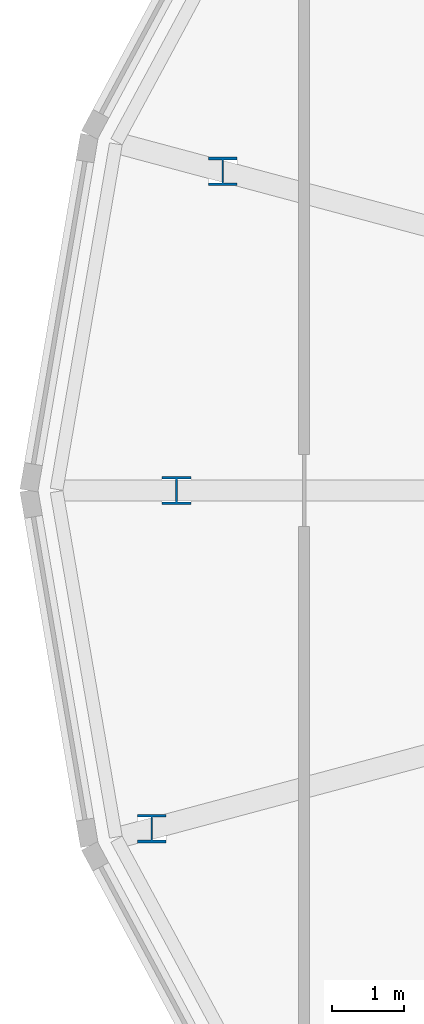
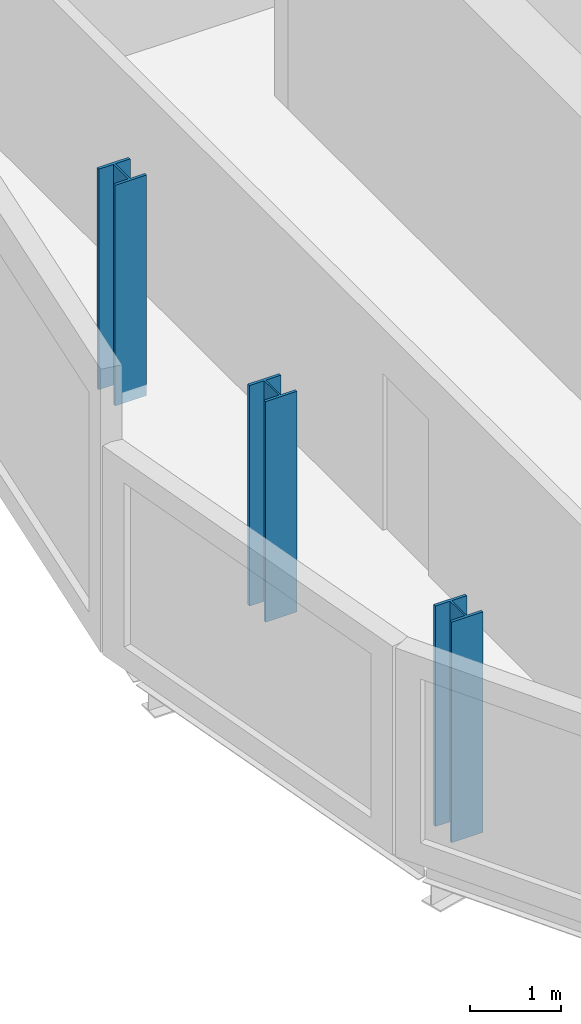
# One storey, part 1 of 37: 3 columns.
"""IFC4 building model written with IfcOpenShell, lengths in metres."""

from ifc_helpers import new_model, si_unit, direction, frame, origin, origin_2d, place, context, subcontext, project, spatial, i_section, extrude, material, material_profile, profile_set, type_object, element, save


model = new_model("IFC4")

# Units and contexts
model_context = context("Model", 3, precision=1e-05, world=origin(), true_north=direction((0.0, 1.0)))
body_context = subcontext(model_context, "Body", "Model", "MODEL_VIEW")
ifc_project = project(units=[si_unit("LENGTHUNIT", "METRE"), si_unit("AREAUNIT", "SQUARE_METRE"), si_unit("VOLUMEUNIT", "CUBIC_METRE"), si_unit("PLANEANGLEUNIT", "RADIAN"), si_unit("MASSUNIT", "GRAM", prefix="KILO")], contexts=[model_context])

# Site, building, storey
site_placement = place(None, origin())
site = spatial("IfcSite", under=ifc_project, at=site_placement, CompositionType="ELEMENT")
building_placement = place(site_placement, origin())
building = spatial("IfcBuilding", under=site, at=building_placement, Name="Rimbun Link Towers", CompositionType="ELEMENT")
storey_placement = place(building_placement, frame((0.0, 0.0, 166.5)))
storey = spatial("IfcBuildingStorey", under=building, at=storey_placement, Name="L40", CompositionType="ELEMENT", Elevation=166.5)

# Columns
ifc_material = material(Name="Steel S355J2", Category="steel")
ifc_material_profile = material_profile(ifc_material, i_section(OverallWidth=0.39892578125, OverallDepth=0.3935546875, WebThickness=0.022705078125, FlangeThickness=0.03662109375, at=origin_2d()), Name="UC 356x406x287")
ifc_profile_set = profile_set([ifc_material_profile], Name="Steel S355J2")
column_type = type_object("IfcColumnType", Name="UC 356x406x287", PredefinedType="COLUMN", material=ifc_profile_set)
for number, where, z_axis, x_axis, name in (
    (1, (-48.229736328125, 4.415771484375, -0.14990234375), (0.0, 0.0, 1.0), (1.0, 0.0, 0.0), "Crease post T1 L40 11"),
    (2, (-48.8701171875, 0.0, -0.14990234375), (0.0, 0.0, 1.0), (1.0, 0.0, 0.0), "Crease post T1 L40 12"),
    (3, (-49.212158203125, -4.678955078125, -0.14990234375), (0.0, 0.0, 1.0), (1.0, 0.0, 0.0), "Crease post T1 L40 13"),
):
    element("IfcColumn", number, at=place(storey_placement, frame(where, z_axis=z_axis, x_axis=x_axis)), inside=storey, type_object=column_type, Name=name, PredefinedType="COLUMN", context=body_context, shape_type="SweptSolid", body=[
        extrude(i_section(OverallWidth=0.39892578125, OverallDepth=0.3935546875, WebThickness=0.022705078125, FlangeThickness=0.03662109375, at=origin_2d()), origin(), (0.0, 0.0, 1.0), 2.959228515625),
    ])

save(model, "model.ifc")
